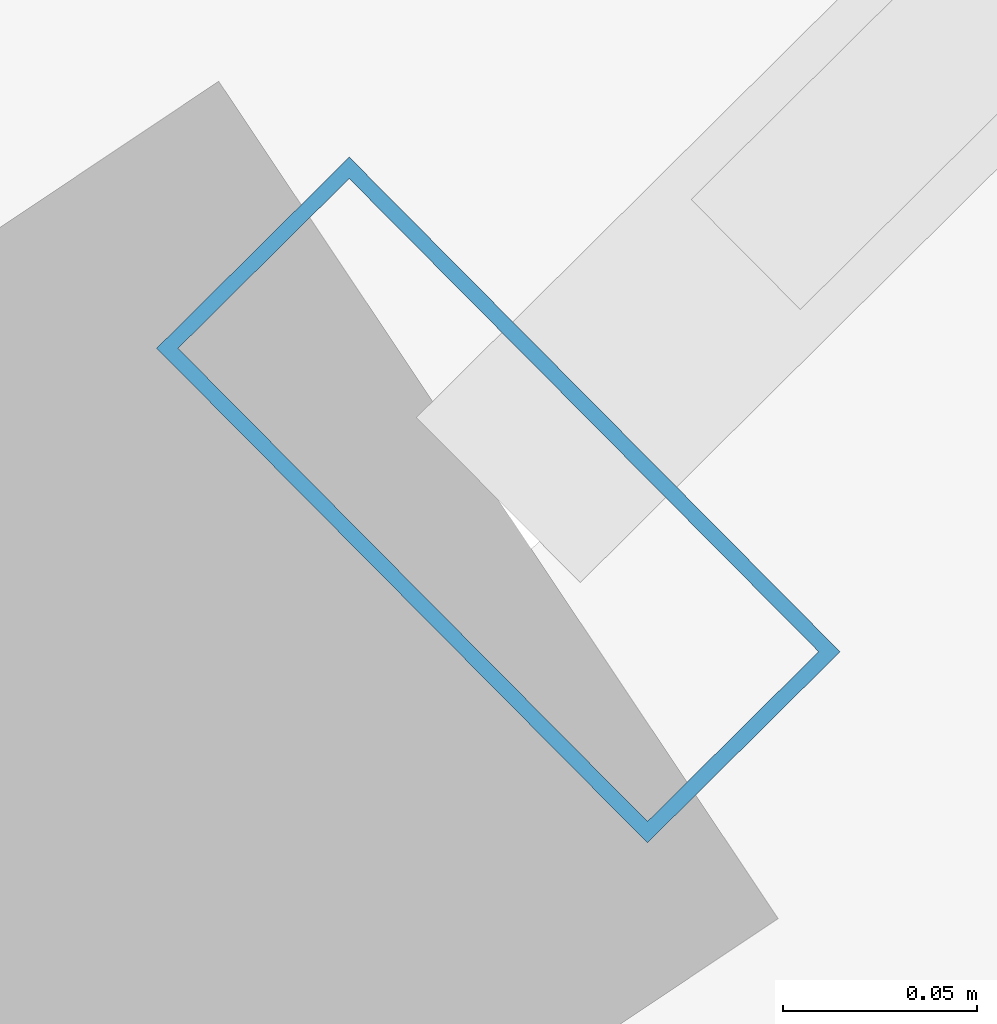
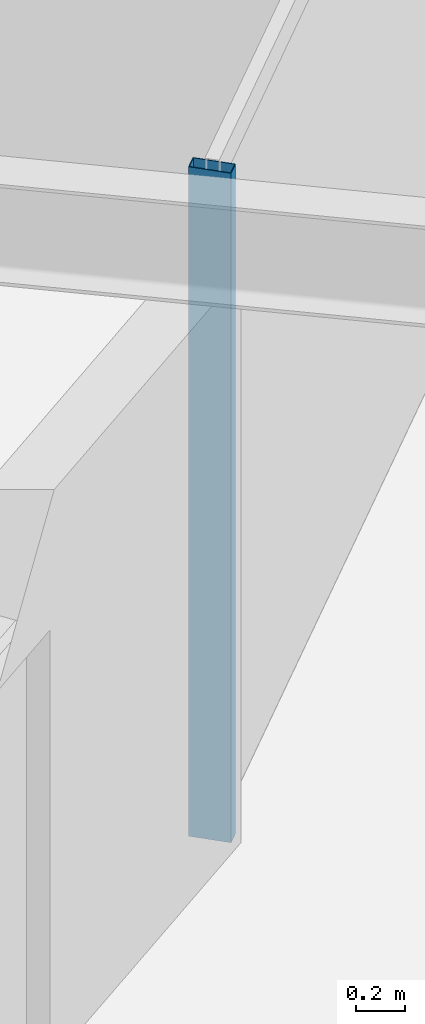
# One storey, part 7 of 20: 1 member, 1 element without a shape of its own.
"""IFC4 building model written with IfcOpenShell, lengths in metres."""

import ifcopenshell
import ifcopenshell.guid

model = None  # the IFC model being written
_history = None  # IfcOwnerHistory: only IFC2X3 demands one
_inside = {}  # id of a spatial element -> (the spatial element, [elements in it])
_under = {}  # id of a project, library or spatial element -> (it, [spatial elements below it])
_declared = {}  # id of a project -> (the project, [libraries it declares])
_typed = {}  # id of a type object -> (the type object, [elements of that type])
_made_of = {}  # id of a material, layer set ... -> (it, [elements and type objects made of it])


def new_model(schema):
    """Start an empty IFC model of exactly this schema.

    Asked for "IFC4X3", IfcOpenShell would pick the latest addendum, in which some entities
    have other attributes; the version numbers below select the first issue.
    IFC2X3 requires an IfcOwnerHistory on every rooted entity: one is made here for all.
    """
    global model, _history
    if schema == "IFC4X3":
        model = ifcopenshell.file(schema_version=(4, 3, 0, 0))
    else:
        model = ifcopenshell.file(schema=schema)
    _inside.clear()
    _under.clear()
    _declared.clear()
    _typed.clear()
    _made_of.clear()
    _history = None
    if model.schema == "IFC2X3":
        org = make("IfcOrganization", Name="unknown")
        user = make(
            "IfcPersonAndOrganization",
            ThePerson=make("IfcPerson", FamilyName="unknown"),
            TheOrganization=org,
        )
        app = make(
            "IfcApplication",
            ApplicationDeveloper=org,
            Version="unknown",
            ApplicationFullName="unknown",
            ApplicationIdentifier="unknown",
        )
        _history = make(
            "IfcOwnerHistory",
            OwningUser=user,
            OwningApplication=app,
            ChangeAction="ADDED",
            CreationDate=0,
        )
    return model


def make(cls, **values):
    """One entity of the class cls with the attributes given. An attribute that is None is left unset."""
    return model.create_entity(
        cls, **{name: value for name, value in values.items() if value is not None}
    )


def rooted(cls, **values):
    """An entity with a GlobalId (a new one), such as an element, a storey or a relation."""
    return make(cls, GlobalId=ifcopenshell.guid.new(), OwnerHistory=_history, **values)


def si_unit(unit_type, name, prefix=None):
    """IfcSIUnit, for example si_unit("LENGTHUNIT", "METRE", prefix="MILLI")."""
    return make("IfcSIUnit", UnitType=unit_type, Prefix=prefix, Name=name)


def assignment(units):
    """IfcUnitAssignment: the units of a project."""
    return None if units is None else make("IfcUnitAssignment", Units=units)


def point(xyz):
    """IfcCartesianPoint."""
    return None if xyz is None else make("IfcCartesianPoint", Coordinates=xyz)


def direction(xyz):
    """IfcDirection."""
    return None if xyz is None else make("IfcDirection", DirectionRatios=xyz)


def frame(location, z_axis=None, x_axis=None):
    """IfcAxis2Placement3D, a coordinate frame: its origin and axes. An axis left out is left unset."""
    return make(
        "IfcAxis2Placement3D",
        Location=point(location),
        Axis=direction(z_axis),
        RefDirection=direction(x_axis),
    )


def frame_2d(location, x_axis=None):
    """IfcAxis2Placement2D, a coordinate frame in the plane: its origin and x axis."""
    return make(
        "IfcAxis2Placement2D", Location=point(location), RefDirection=direction(x_axis)
    )


def origin():
    """The frame at (0, 0, 0) with its axes left unset."""
    return frame((0.0, 0.0, 0.0))


def origin_2d():
    """The frame at (0, 0) in the plane with its x axis left unset."""
    return frame_2d((0.0, 0.0))


def place(relative_to, where):
    """IfcLocalPlacement: puts the frame where relative to a parent placement (None: the world)."""
    return make(
        "IfcLocalPlacement", PlacementRelTo=relative_to, RelativePlacement=where
    )


def context(
    kind, dimensions, precision=None, world=None, true_north=None, identifier=None
):
    """IfcGeometricRepresentationContext, for example the 3D "Model" context."""
    return make(
        "IfcGeometricRepresentationContext",
        ContextIdentifier=identifier,
        ContextType=kind,
        CoordinateSpaceDimension=dimensions,
        Precision=precision,
        WorldCoordinateSystem=world,
        TrueNorth=true_north,
    )


def subcontext(parent, identifier, kind, view, scale=None):
    """IfcGeometricRepresentationSubContext, for example "Body" below "Model"."""
    return make(
        "IfcGeometricRepresentationSubContext",
        ContextIdentifier=identifier,
        ContextType=kind,
        ParentContext=parent,
        TargetScale=scale,
        TargetView=view,
    )


def project(units=None, contexts=None):
    """IfcProject with its units and contexts."""
    return rooted(
        "IfcProject",
        Name="project",
        RepresentationContexts=contexts,
        UnitsInContext=assignment(units),
    )


def spatial(cls, under=None, at=None, **own):
    """A site, building, storey or space (cls), placed at a placement, below another one or the project."""
    s = rooted(cls, ObjectPlacement=at, **own)
    if under is not None:
        _under.setdefault(under.id(), (under, []))[1].append(s)
    return s


def profile(cls, at=None, kind="AREA", **sizes):
    """A parametric profile (cls). Its sizes go by their IFC names, for example OverallWidth=200.0."""
    return make(cls, ProfileType=kind, Position=at, **sizes)


def hollow_rectangle(**sizes):
    """IfcRectangleHollowProfileDef."""
    return profile("IfcRectangleHollowProfileDef", **sizes)


def extrude(swept, where, along, depth):
    """IfcExtrudedAreaSolid: the profile swept, set in the frame where, extruded along a direction by depth."""
    return make(
        "IfcExtrudedAreaSolid",
        SweptArea=swept,
        Position=where,
        ExtrudedDirection=direction(along),
        Depth=depth,
    )


def shape(context_of_items, identifier, shape_type, items):
    """IfcShapeRepresentation: the items that make up one representation, for example the "Body"."""
    return make(
        "IfcShapeRepresentation",
        ContextOfItems=context_of_items,
        RepresentationIdentifier=identifier,
        RepresentationType=shape_type,
        Items=items,
    )


def material(Name=None, Category=None):
    """IfcMaterial."""
    return make("IfcMaterial", Name=Name, Category=Category)


def layer(
    of_material, thickness, ventilated=None, Name=None, Category=None, Priority=None
):
    """IfcMaterialLayer: one layer of a wall or slab, of a material (None: an air gap)."""
    return make(
        "IfcMaterialLayer",
        Material=of_material,
        LayerThickness=thickness,
        IsVentilated=ventilated,
        Name=Name,
        Category=Category,
        Priority=Priority,
    )


def layer_set(layers, Name=None):
    """IfcMaterialLayerSet."""
    return make("IfcMaterialLayerSet", MaterialLayers=layers, LayerSetName=Name)


def material_profile(
    of_material, cross_section, Name=None, Category=None, Priority=None
):
    """IfcMaterialProfile: a cross section and its material."""
    return make(
        "IfcMaterialProfile",
        Name=Name,
        Material=of_material,
        Profile=cross_section,
        Priority=Priority,
        Category=Category,
    )


def profile_set(profiles, Name=None, composite=None):
    """IfcMaterialProfileSet."""
    return make(
        "IfcMaterialProfileSet",
        Name=Name,
        MaterialProfiles=profiles,
        CompositeProfile=composite,
    )


def made_of(thing, what):
    """Note that an element or type object is made of a material, layer set ...; save() writes the relation."""
    if what is not None:
        _made_of.setdefault(what.id(), (what, []))[1].append(thing)
    return thing


def type_object(cls, material=None, **own):
    """A type object (cls), such as IfcWallType, which elements share."""
    return made_of(rooted(cls, **own), material)


def element(
    cls,
    number,
    at=None,
    inside=None,
    cuts=None,
    type_object=None,
    material=None,
    context=None,
    identifier="Body",
    shape_type=None,
    held_by="IfcProductDefinitionShape",
    body=None,
    shapes=None,
    **own,
):
    """One element of the class cls, such as IfcWall. Its Tag is "e" and its number.

    at: its placement. inside: the storey or other place that contains it. cuts: it is an
    opening in that element (IfcRelVoidsElement). A single representation is given by context,
    identifier, shape_type and body (its items); several are given by shapes. held_by: the class
    of the entity that holds the representations. save() writes the other relations.
    """
    e = rooted(cls, Tag="e%d" % number, ObjectPlacement=at, **own)
    if body is not None:
        shapes = [shape(context, identifier, shape_type, body)]
    if shapes is not None:
        e.Representation = make(held_by, Representations=shapes)
    if inside is not None:
        _inside.setdefault(inside.id(), (inside, []))[1].append(e)
    if cuts is not None:
        rooted(
            "IfcRelVoidsElement", RelatingBuildingElement=cuts, RelatedOpeningElement=e
        )
    if type_object is not None:
        _typed.setdefault(type_object.id(), (type_object, []))[1].append(e)
    return made_of(e, material)


def aggregate(whole, parts):
    """IfcRelAggregates: a whole, such as a stair, and the parts it consists of."""
    return rooted("IfcRelAggregates", RelatingObject=whole, RelatedObjects=parts)


def save(model, path):
    """Write the relations noted so far, then the file.

    IfcRelAggregates (storeys below a building ...), IfcRelContainedInSpatialStructure (elements
    in a storey), IfcRelDefinesByType, IfcRelAssociatesMaterial and IfcRelDeclares: one each for
    every whole, place, type object, material and project.
    """
    for whole, parts in _under.values():
        aggregate(whole, parts)
    for where, things in _inside.values():
        rooted(
            "IfcRelContainedInSpatialStructure",
            RelatedElements=things,
            RelatingStructure=where,
        )
    for kind, things in _typed.values():
        rooted("IfcRelDefinesByType", RelatedObjects=things, RelatingType=kind)
    for what, things in _made_of.values():
        rooted("IfcRelAssociatesMaterial", RelatedObjects=things, RelatingMaterial=what)
    for by, libraries in _declared.values():
        rooted("IfcRelDeclares", RelatingContext=by, RelatedDefinitions=libraries)
    model.write(path)


model = new_model("IFC4")

# Units and contexts
model_context = context("Model", 3, precision=1e-05, world=origin(), true_north=direction((0.0, 1.0)))
body_context = subcontext(model_context, "Body", "Model", "MODEL_VIEW")
ifc_project = project(units=[si_unit("LENGTHUNIT", "METRE"), si_unit("AREAUNIT", "SQUARE_METRE"), si_unit("VOLUMEUNIT", "CUBIC_METRE"), si_unit("PLANEANGLEUNIT", "RADIAN"), si_unit("MASSUNIT", "GRAM", prefix="KILO")], contexts=[model_context])

# Site, building, storey
site_placement = place(None, origin())
site = spatial("IfcSite", under=ifc_project, at=site_placement, CompositionType="ELEMENT")
building_placement = place(site_placement, origin())
building = spatial("IfcBuilding", under=site, at=building_placement, Name="Veldorina Hangang Commons", CompositionType="ELEMENT")
storey_placement = place(building_placement, frame((0.0, 0.0, 153.199951171875)))
storey = spatial("IfcBuildingStorey", under=building, at=storey_placement, Name="L39", CompositionType="ELEMENT", Elevation=153.199951171875)

# Curtain wall, member
ifc_material_1 = material(Name="Glass Low-E Triple IGU", Category="glass")
ifc_layer = layer(ifc_material_1, 0.179931640625)
ifc_layer_set = layer_set([ifc_layer], Name="Glass Low-E Triple IGU")
curtain_wall_type = type_object("IfcCurtainWallType", Name="CW-SYS-Z2", PredefinedType="NOTDEFINED", material=ifc_layer_set)
curtain_wall_placement = place(storey_placement, origin())
curtain_wall = element("IfcCurtainWall", 1, at=curtain_wall_placement, inside=storey, type_object=curtain_wall_type, Name="L39 unitised curtain wall CW-L39-R2", PredefinedType="NOTDEFINED")
ifc_material_2 = material(Name="Aluminium Anodized AA6063-T6", Category="aluminium")
ifc_material_profile = material_profile(ifc_material_2, hollow_rectangle(XDim=0.070068359375, YDim=0.179931640625, WallThickness=0.00390625, at=origin_2d()), Name="ALU-RHS-180x70x4")
ifc_profile_set = profile_set([ifc_material_profile], Name="Aluminium Anodized AA6063-T6")
member_type = type_object("IfcMemberType", Name="CW-MUL-180", PredefinedType="MULLION", material=ifc_profile_set)
member_placement = place(storey_placement, frame((50.215576171875, 9.16748046875, 0.0), z_axis=(0.0, 0.0, 1.0), x_axis=(0.709865830765, 0.70433692386, 0.0)))
member = element("IfcMember", 2, at=member_placement, type_object=member_type, Name="CW-L39-R2 vertical mullion 1", PredefinedType="MULLION", context=body_context, shape_type="SweptSolid", body=[
    extrude(hollow_rectangle(XDim=0.070068359375, YDim=0.179931640625, WallThickness=0.00390625, at=origin_2d()), origin(), (0.0, 0.0, 1.0), 3.31005859375),
])
aggregate(curtain_wall, [member])

save(model, "model.ifc")
